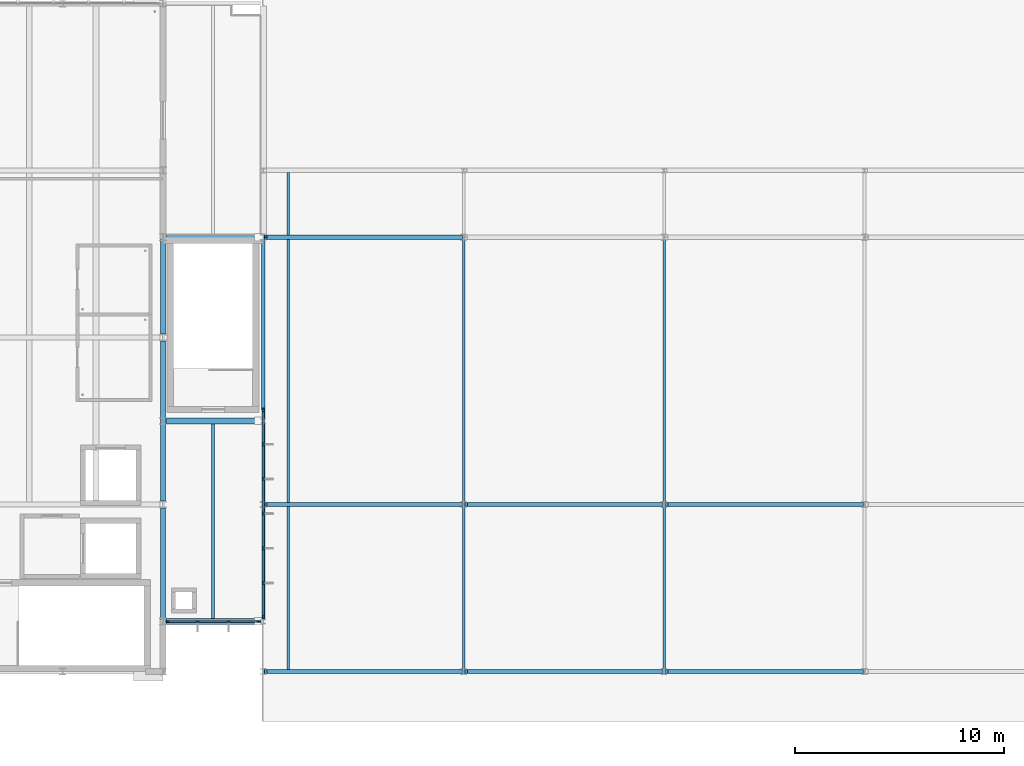
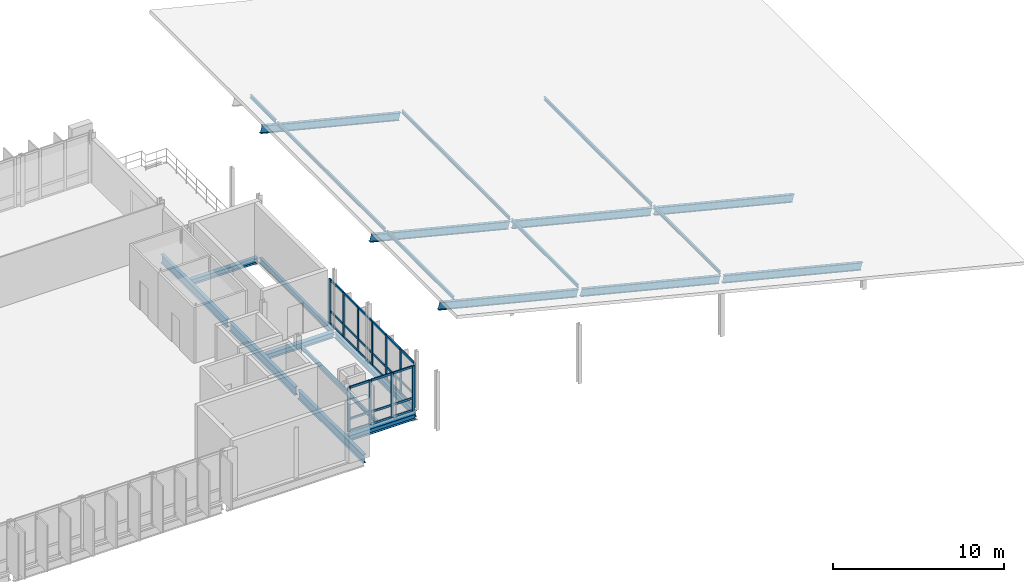
# One storey, part 9 of 22: 52 members, 9 beams, 2 elements without a shape of their own.
"""IFC4 building model written with IfcOpenShell, lengths in metres."""

from ifc_helpers import new_model, si_unit, direction, frame, origin, origin_2d, place, context, subcontext, project, spatial, rectangle, i_section, extrude, material, material_profile, profile_set, type_object, element, aggregate, save


model = new_model("IFC4")

# Units and contexts
model_context = context("Model", 3, precision=1e-05, world=origin(), true_north=direction((0.0, 1.0)))
body_context = subcontext(model_context, "Body", "Model", "MODEL_VIEW")
ifc_project = project(units=[si_unit("LENGTHUNIT", "METRE"), si_unit("AREAUNIT", "SQUARE_METRE"), si_unit("VOLUMEUNIT", "CUBIC_METRE"), si_unit("PLANEANGLEUNIT", "RADIAN"), si_unit("MASSUNIT", "GRAM", prefix="KILO")], contexts=[model_context])

# Site, building, storey
site_placement = place(None, origin())
site = spatial("IfcSite", under=ifc_project, at=site_placement, CompositionType="ELEMENT")
building_placement = place(site_placement, origin())
building = spatial("IfcBuilding", under=site, at=building_placement, Name="Dunescarp Central Library", CompositionType="ELEMENT")
storey_placement = place(building_placement, frame((0.0, 0.0, 27.60009765625)))
storey = spatial("IfcBuildingStorey", under=building, at=storey_placement, Name="L06", CompositionType="ELEMENT", Elevation=27.60009765625)

# Curtain wall, members
ifc_material_1 = material(Name="Marine-grade anodised aluminium 6063-T6", Category="aluminium")
curtain_wall_type = type_object("IfcCurtainWallType", Name="ARC-CW-LINK", PredefinedType="USERDEFINED", material=ifc_material_1)
curtain_wall_1_placement = place(storey_placement, origin())
curtain_wall_1 = element("IfcCurtainWall", 1, at=curtain_wall_1_placement, inside=storey, type_object=curtain_wall_type, Name="L06 curtain wall CW-GL1-S-L06", ObjectType="GLAZED_LINK_WALL", PredefinedType="USERDEFINED")
ifc_material_profile_1 = material_profile(ifc_material_1, rectangle(XDim=0.080078125, YDim=0.179931640625, at=origin_2d()), Name="AL 80x180")
ifc_profile_set_1 = profile_set([ifc_material_profile_1], Name="Marine-grade anodised aluminium 6063-T6")
member_type_1 = type_object("IfcMemberType", Name="ARC-CWM-180", PredefinedType="MULLION", material=ifc_profile_set_1)
member_1_placement = place(storey_placement, frame((38.18505859375, 7.199951171875, 0.0), z_axis=(0.0, 0.0, 1.0), x_axis=(0.0, -1.0, 0.0)))
member_1 = element("IfcMember", 2, at=member_1_placement, type_object=member_type_1, Name="CW-GL1-S-L06 mullion 1", PredefinedType="MULLION", context=body_context, shape_type="SweptSolid", body=[
    extrude(rectangle(XDim=0.080078125, YDim=0.179931640625, at=origin_2d()), origin(), (0.0, 0.0, 1.0), 3.184814453125),
])
member_2_placement = place(storey_placement, frame((36.74169921875, 7.199951171875, 0.0), z_axis=(0.0, 0.0, 1.0), x_axis=(0.0, -1.0, 0.0)))
member_2 = element("IfcMember", 3, at=member_2_placement, type_object=member_type_1, Name="CW-GL1-S-L06 mullion 2", PredefinedType="MULLION", context=body_context, shape_type="SweptSolid", body=[
    extrude(rectangle(XDim=0.080078125, YDim=0.179931640625, at=origin_2d()), origin(), (0.0, 0.0, 1.0), 3.184814453125),
])
member_3_placement = place(storey_placement, frame((35.25830078125, 7.199951171875, 0.0), z_axis=(0.0, 0.0, 1.0), x_axis=(0.0, -1.0, 0.0)))
member_3 = element("IfcMember", 4, at=member_3_placement, type_object=member_type_1, Name="CW-GL1-S-L06 mullion 3", PredefinedType="MULLION", context=body_context, shape_type="SweptSolid", body=[
    extrude(rectangle(XDim=0.080078125, YDim=0.179931640625, at=origin_2d()), origin(), (0.0, 0.0, 1.0), 3.184814453125),
])
member_4_placement = place(storey_placement, frame((33.81494140625, 7.199951171875, 0.0), z_axis=(0.0, 0.0, 1.0), x_axis=(0.0, -1.0, 0.0)))
member_4 = element("IfcMember", 5, at=member_4_placement, type_object=member_type_1, Name="CW-GL1-S-L06 mullion 4", PredefinedType="MULLION", context=body_context, shape_type="SweptSolid", body=[
    extrude(rectangle(XDim=0.080078125, YDim=0.179931640625, at=origin_2d()), origin(), (0.0, 0.0, 1.0), 3.184814453125),
])

curtain_wall_2_placement = place(storey_placement, origin())
curtain_wall_2 = element("IfcCurtainWall", 6, at=curtain_wall_2_placement, inside=storey, type_object=curtain_wall_type, Name="L06 curtain wall CW-GL1-E-L06", ObjectType="GLAZED_LINK_WALL", PredefinedType="USERDEFINED")
member_5_placement = place(storey_placement, frame((38.39990234375, 17.31005859375, 0.0), z_axis=(0.0, 0.0, 1.0), x_axis=(1.0, 0.0, 0.0)))
member_5 = element("IfcMember", 7, at=member_5_placement, type_object=member_type_1, Name="CW-GL1-E-L06 mullion 1", PredefinedType="MULLION", context=body_context, shape_type="SweptSolid", body=[
    extrude(rectangle(XDim=0.080078125, YDim=0.179931640625, at=origin_2d()), origin(), (0.0, 0.0, 1.0), 3.184814453125),
])
member_6_placement = place(storey_placement, frame((38.39990234375, 15.6875, 0.0), z_axis=(0.0, 0.0, 1.0), x_axis=(1.0, 0.0, 0.0)))
member_6 = element("IfcMember", 8, at=member_6_placement, type_object=member_type_1, Name="CW-GL1-E-L06 mullion 2", PredefinedType="MULLION", context=body_context, shape_type="SweptSolid", body=[
    extrude(rectangle(XDim=0.080078125, YDim=0.179931640625, at=origin_2d()), origin(), (0.0, 0.0, 1.0), 3.184814453125),
])
member_7_placement = place(storey_placement, frame((38.39990234375, 14.02490234375, 0.0), z_axis=(0.0, 0.0, 1.0), x_axis=(1.0, 0.0, 0.0)))
member_7 = element("IfcMember", 9, at=member_7_placement, type_object=member_type_1, Name="CW-GL1-E-L06 mullion 3", PredefinedType="MULLION", context=body_context, shape_type="SweptSolid", body=[
    extrude(rectangle(XDim=0.080078125, YDim=0.179931640625, at=origin_2d()), origin(), (0.0, 0.0, 1.0), 3.184814453125),
])
member_8_placement = place(storey_placement, frame((38.39990234375, 12.362548828125, 0.0), z_axis=(0.0, 0.0, 1.0), x_axis=(1.0, 0.0, 0.0)))
member_8 = element("IfcMember", 10, at=member_8_placement, type_object=member_type_1, Name="CW-GL1-E-L06 mullion 4", PredefinedType="MULLION", context=body_context, shape_type="SweptSolid", body=[
    extrude(rectangle(XDim=0.080078125, YDim=0.179931640625, at=origin_2d()), origin(), (0.0, 0.0, 1.0), 3.184814453125),
])
member_9_placement = place(storey_placement, frame((38.39990234375, 10.699951171875, 0.0), z_axis=(0.0, 0.0, 1.0), x_axis=(1.0, 0.0, 0.0)))
member_9 = element("IfcMember", 11, at=member_9_placement, type_object=member_type_1, Name="CW-GL1-E-L06 mullion 5", PredefinedType="MULLION", context=body_context, shape_type="SweptSolid", body=[
    extrude(rectangle(XDim=0.080078125, YDim=0.179931640625, at=origin_2d()), origin(), (0.0, 0.0, 1.0), 3.184814453125),
])
member_10_placement = place(storey_placement, frame((38.39990234375, 9.03759765625, 0.0), z_axis=(0.0, 0.0, 1.0), x_axis=(1.0, 0.0, 0.0)))
member_10 = element("IfcMember", 12, at=member_10_placement, type_object=member_type_1, Name="CW-GL1-E-L06 mullion 6", PredefinedType="MULLION", context=body_context, shape_type="SweptSolid", body=[
    extrude(rectangle(XDim=0.080078125, YDim=0.179931640625, at=origin_2d()), origin(), (0.0, 0.0, 1.0), 3.184814453125),
])
member_11_placement = place(storey_placement, frame((38.39990234375, 7.4150390625, 0.0), z_axis=(0.0, 0.0, 1.0), x_axis=(1.0, 0.0, 0.0)))
member_11 = element("IfcMember", 13, at=member_11_placement, type_object=member_type_1, Name="CW-GL1-E-L06 mullion 7", PredefinedType="MULLION", context=body_context, shape_type="SweptSolid", body=[
    extrude(rectangle(XDim=0.080078125, YDim=0.179931640625, at=origin_2d()), origin(), (0.0, 0.0, 1.0), 3.184814453125),
])

# Member
ifc_material_profile_2 = material_profile(ifc_material_1, rectangle(XDim=0.080078125, YDim=0.14990234375, at=origin_2d()), Name="AL 80x150")
ifc_profile_set_2 = profile_set([ifc_material_profile_2], Name="Marine-grade anodised aluminium 6063-T6")
member_type_2 = type_object("IfcMemberType", Name="ARC-CWT-150", PredefinedType="USERDEFINED", material=ifc_profile_set_2)
member_12_placement = place(storey_placement, frame((38.14501953125, 7.199951171875, 0.039794921875), z_axis=(-1.0, 0.0, 0.0), x_axis=(0.0, -1.0, 0.0)))
member_12 = element("IfcMember", 14, at=member_12_placement, type_object=member_type_2, Name="CW-GL1-S-L06 transom 1.1", ObjectType="TRANSOM", PredefinedType="USERDEFINED", context=body_context, shape_type="SweptSolid", body=[
    extrude(rectangle(XDim=0.080078125, YDim=0.14990234375, at=origin_2d()), origin(), (0.0, 0.0, 1.0), 1.36328125),
])

member_13_placement = place(storey_placement, frame((38.14501953125, 7.199951171875, 0.89990234375), z_axis=(-1.0, 0.0, 0.0), x_axis=(0.0, -1.0, 0.0)))
member_13 = element("IfcMember", 15, at=member_13_placement, type_object=member_type_2, Name="CW-GL1-S-L06 transom 1.2", ObjectType="TRANSOM", PredefinedType="USERDEFINED", context=body_context, shape_type="SweptSolid", body=[
    extrude(rectangle(XDim=0.080078125, YDim=0.14990234375, at=origin_2d()), origin(), (0.0, 0.0, 1.0), 1.36328125),
])

member_14_placement = place(storey_placement, frame((38.14501953125, 7.199951171875, 3.14501953125), z_axis=(-1.0, 0.0, 0.0), x_axis=(0.0, -1.0, 0.0)))
member_14 = element("IfcMember", 16, at=member_14_placement, type_object=member_type_2, Name="CW-GL1-S-L06 transom 1.3", ObjectType="TRANSOM", PredefinedType="USERDEFINED", context=body_context, shape_type="SweptSolid", body=[
    extrude(rectangle(XDim=0.080078125, YDim=0.14990234375, at=origin_2d()), origin(), (0.0, 0.0, 1.0), 1.36328125),
])

member_15_placement = place(storey_placement, frame((36.70166015625, 7.199951171875, 0.039794921875), z_axis=(-1.0, 0.0, 0.0), x_axis=(0.0, -1.0, 0.0)))
member_15 = element("IfcMember", 17, at=member_15_placement, type_object=member_type_2, Name="CW-GL1-S-L06 transom 2.1", ObjectType="TRANSOM", PredefinedType="USERDEFINED", context=body_context, shape_type="SweptSolid", body=[
    extrude(rectangle(XDim=0.080078125, YDim=0.14990234375, at=origin_2d()), origin(), (0.0, 0.0, 1.0), 1.4033203125),
])

member_16_placement = place(storey_placement, frame((36.70166015625, 7.199951171875, 0.89990234375), z_axis=(-1.0, 0.0, 0.0), x_axis=(0.0, -1.0, 0.0)))
member_16 = element("IfcMember", 18, at=member_16_placement, type_object=member_type_2, Name="CW-GL1-S-L06 transom 2.2", ObjectType="TRANSOM", PredefinedType="USERDEFINED", context=body_context, shape_type="SweptSolid", body=[
    extrude(rectangle(XDim=0.080078125, YDim=0.14990234375, at=origin_2d()), origin(), (0.0, 0.0, 1.0), 1.4033203125),
])

member_17_placement = place(storey_placement, frame((36.70166015625, 7.199951171875, 3.14501953125), z_axis=(-1.0, 0.0, 0.0), x_axis=(0.0, -1.0, 0.0)))
member_17 = element("IfcMember", 19, at=member_17_placement, type_object=member_type_2, Name="CW-GL1-S-L06 transom 2.3", ObjectType="TRANSOM", PredefinedType="USERDEFINED", context=body_context, shape_type="SweptSolid", body=[
    extrude(rectangle(XDim=0.080078125, YDim=0.14990234375, at=origin_2d()), origin(), (0.0, 0.0, 1.0), 1.4033203125),
])

member_18_placement = place(storey_placement, frame((35.21826171875, 7.199951171875, 0.039794921875), z_axis=(-1.0, 0.0, 0.0), x_axis=(0.0, -1.0, 0.0)))
member_18 = element("IfcMember", 20, at=member_18_placement, type_object=member_type_2, Name="CW-GL1-S-L06 transom 3.1", ObjectType="TRANSOM", PredefinedType="USERDEFINED", context=body_context, shape_type="SweptSolid", body=[
    extrude(rectangle(XDim=0.080078125, YDim=0.14990234375, at=origin_2d()), origin(), (0.0, 0.0, 1.0), 1.36328125),
])

member_19_placement = place(storey_placement, frame((35.21826171875, 7.199951171875, 0.89990234375), z_axis=(-1.0, 0.0, 0.0), x_axis=(0.0, -1.0, 0.0)))
member_19 = element("IfcMember", 21, at=member_19_placement, type_object=member_type_2, Name="CW-GL1-S-L06 transom 3.2", ObjectType="TRANSOM", PredefinedType="USERDEFINED", context=body_context, shape_type="SweptSolid", body=[
    extrude(rectangle(XDim=0.080078125, YDim=0.14990234375, at=origin_2d()), origin(), (0.0, 0.0, 1.0), 1.36328125),
])

member_20_placement = place(storey_placement, frame((35.21826171875, 7.199951171875, 3.14501953125), z_axis=(-1.0, 0.0, 0.0), x_axis=(0.0, -1.0, 0.0)))
member_20 = element("IfcMember", 22, at=member_20_placement, type_object=member_type_2, Name="CW-GL1-S-L06 transom 3.3", ObjectType="TRANSOM", PredefinedType="USERDEFINED", context=body_context, shape_type="SweptSolid", body=[
    extrude(rectangle(XDim=0.080078125, YDim=0.14990234375, at=origin_2d()), origin(), (0.0, 0.0, 1.0), 1.36328125),
])

aggregate(curtain_wall_1, [member_1, member_2, member_3, member_4, member_12, member_13, member_14, member_15, member_16, member_17, member_18, member_19, member_20])

member_21_placement = place(storey_placement, frame((38.39990234375, 17.27001953125, 0.039794921875), z_axis=(0.0, -1.0, 0.0), x_axis=(1.0, 0.0, 0.0)))
member_21 = element("IfcMember", 23, at=member_21_placement, type_object=member_type_2, Name="CW-GL1-E-L06 transom 1.1", ObjectType="TRANSOM", PredefinedType="USERDEFINED", context=body_context, shape_type="SweptSolid", body=[
    extrude(rectangle(XDim=0.080078125, YDim=0.14990234375, at=origin_2d()), origin(), (0.0, 0.0, 1.0), 1.54248046875),
])

member_22_placement = place(storey_placement, frame((38.39990234375, 17.27001953125, 0.89990234375), z_axis=(0.0, -1.0, 0.0), x_axis=(1.0, 0.0, 0.0)))
member_22 = element("IfcMember", 24, at=member_22_placement, type_object=member_type_2, Name="CW-GL1-E-L06 transom 1.2", ObjectType="TRANSOM", PredefinedType="USERDEFINED", context=body_context, shape_type="SweptSolid", body=[
    extrude(rectangle(XDim=0.080078125, YDim=0.14990234375, at=origin_2d()), origin(), (0.0, 0.0, 1.0), 1.54248046875),
])

member_23_placement = place(storey_placement, frame((38.39990234375, 17.27001953125, 3.14501953125), z_axis=(0.0, -1.0, 0.0), x_axis=(1.0, 0.0, 0.0)))
member_23 = element("IfcMember", 25, at=member_23_placement, type_object=member_type_2, Name="CW-GL1-E-L06 transom 1.3", ObjectType="TRANSOM", PredefinedType="USERDEFINED", context=body_context, shape_type="SweptSolid", body=[
    extrude(rectangle(XDim=0.080078125, YDim=0.14990234375, at=origin_2d()), origin(), (0.0, 0.0, 1.0), 1.54248046875),
])

member_24_placement = place(storey_placement, frame((38.39990234375, 15.6474609375, 0.039794921875), z_axis=(0.0, -1.0, 0.0), x_axis=(1.0, 0.0, 0.0)))
member_24 = element("IfcMember", 26, at=member_24_placement, type_object=member_type_2, Name="CW-GL1-E-L06 transom 2.1", ObjectType="TRANSOM", PredefinedType="USERDEFINED", context=body_context, shape_type="SweptSolid", body=[
    extrude(rectangle(XDim=0.080078125, YDim=0.14990234375, at=origin_2d()), origin(), (0.0, 0.0, 1.0), 1.58251953125),
])

member_25_placement = place(storey_placement, frame((38.39990234375, 15.6474609375, 0.89990234375), z_axis=(0.0, -1.0, 0.0), x_axis=(1.0, 0.0, 0.0)))
member_25 = element("IfcMember", 27, at=member_25_placement, type_object=member_type_2, Name="CW-GL1-E-L06 transom 2.2", ObjectType="TRANSOM", PredefinedType="USERDEFINED", context=body_context, shape_type="SweptSolid", body=[
    extrude(rectangle(XDim=0.080078125, YDim=0.14990234375, at=origin_2d()), origin(), (0.0, 0.0, 1.0), 1.58251953125),
])

member_26_placement = place(storey_placement, frame((38.39990234375, 15.6474609375, 3.14501953125), z_axis=(0.0, -1.0, 0.0), x_axis=(1.0, 0.0, 0.0)))
member_26 = element("IfcMember", 28, at=member_26_placement, type_object=member_type_2, Name="CW-GL1-E-L06 transom 2.3", ObjectType="TRANSOM", PredefinedType="USERDEFINED", context=body_context, shape_type="SweptSolid", body=[
    extrude(rectangle(XDim=0.080078125, YDim=0.14990234375, at=origin_2d()), origin(), (0.0, 0.0, 1.0), 1.58251953125),
])

member_27_placement = place(storey_placement, frame((38.39990234375, 13.985107421875, 0.039794921875), z_axis=(0.0, -1.0, 0.0), x_axis=(1.0, 0.0, 0.0)))
member_27 = element("IfcMember", 29, at=member_27_placement, type_object=member_type_2, Name="CW-GL1-E-L06 transom 3.1", ObjectType="TRANSOM", PredefinedType="USERDEFINED", context=body_context, shape_type="SweptSolid", body=[
    extrude(rectangle(XDim=0.080078125, YDim=0.14990234375, at=origin_2d()), origin(), (0.0, 0.0, 1.0), 1.58251953125),
])

member_28_placement = place(storey_placement, frame((38.39990234375, 13.985107421875, 0.89990234375), z_axis=(0.0, -1.0, 0.0), x_axis=(1.0, 0.0, 0.0)))
member_28 = element("IfcMember", 30, at=member_28_placement, type_object=member_type_2, Name="CW-GL1-E-L06 transom 3.2", ObjectType="TRANSOM", PredefinedType="USERDEFINED", context=body_context, shape_type="SweptSolid", body=[
    extrude(rectangle(XDim=0.080078125, YDim=0.14990234375, at=origin_2d()), origin(), (0.0, 0.0, 1.0), 1.58251953125),
])

member_29_placement = place(storey_placement, frame((38.39990234375, 13.985107421875, 3.14501953125), z_axis=(0.0, -1.0, 0.0), x_axis=(1.0, 0.0, 0.0)))
member_29 = element("IfcMember", 31, at=member_29_placement, type_object=member_type_2, Name="CW-GL1-E-L06 transom 3.3", ObjectType="TRANSOM", PredefinedType="USERDEFINED", context=body_context, shape_type="SweptSolid", body=[
    extrude(rectangle(XDim=0.080078125, YDim=0.14990234375, at=origin_2d()), origin(), (0.0, 0.0, 1.0), 1.58251953125),
])

member_30_placement = place(storey_placement, frame((38.39990234375, 12.322509765625, 0.039794921875), z_axis=(0.0, -1.0, 0.0), x_axis=(1.0, 0.0, 0.0)))
member_30 = element("IfcMember", 32, at=member_30_placement, type_object=member_type_2, Name="CW-GL1-E-L06 transom 4.1", ObjectType="TRANSOM", PredefinedType="USERDEFINED", context=body_context, shape_type="SweptSolid", body=[
    extrude(rectangle(XDim=0.080078125, YDim=0.14990234375, at=origin_2d()), origin(), (0.0, 0.0, 1.0), 1.58251953125),
])

member_31_placement = place(storey_placement, frame((38.39990234375, 12.322509765625, 0.89990234375), z_axis=(0.0, -1.0, 0.0), x_axis=(1.0, 0.0, 0.0)))
member_31 = element("IfcMember", 33, at=member_31_placement, type_object=member_type_2, Name="CW-GL1-E-L06 transom 4.2", ObjectType="TRANSOM", PredefinedType="USERDEFINED", context=body_context, shape_type="SweptSolid", body=[
    extrude(rectangle(XDim=0.080078125, YDim=0.14990234375, at=origin_2d()), origin(), (0.0, 0.0, 1.0), 1.58251953125),
])

member_32_placement = place(storey_placement, frame((38.39990234375, 12.322509765625, 3.14501953125), z_axis=(0.0, -1.0, 0.0), x_axis=(1.0, 0.0, 0.0)))
member_32 = element("IfcMember", 34, at=member_32_placement, type_object=member_type_2, Name="CW-GL1-E-L06 transom 4.3", ObjectType="TRANSOM", PredefinedType="USERDEFINED", context=body_context, shape_type="SweptSolid", body=[
    extrude(rectangle(XDim=0.080078125, YDim=0.14990234375, at=origin_2d()), origin(), (0.0, 0.0, 1.0), 1.58251953125),
])

member_33_placement = place(storey_placement, frame((38.39990234375, 10.659912109375, 0.039794921875), z_axis=(0.0, -1.0, 0.0), x_axis=(1.0, 0.0, 0.0)))
member_33 = element("IfcMember", 35, at=member_33_placement, type_object=member_type_2, Name="CW-GL1-E-L06 transom 5.1", ObjectType="TRANSOM", PredefinedType="USERDEFINED", context=body_context, shape_type="SweptSolid", body=[
    extrude(rectangle(XDim=0.080078125, YDim=0.14990234375, at=origin_2d()), origin(), (0.0, 0.0, 1.0), 1.58251953125),
])

member_34_placement = place(storey_placement, frame((38.39990234375, 10.659912109375, 0.89990234375), z_axis=(0.0, -1.0, 0.0), x_axis=(1.0, 0.0, 0.0)))
member_34 = element("IfcMember", 36, at=member_34_placement, type_object=member_type_2, Name="CW-GL1-E-L06 transom 5.2", ObjectType="TRANSOM", PredefinedType="USERDEFINED", context=body_context, shape_type="SweptSolid", body=[
    extrude(rectangle(XDim=0.080078125, YDim=0.14990234375, at=origin_2d()), origin(), (0.0, 0.0, 1.0), 1.58251953125),
])

member_35_placement = place(storey_placement, frame((38.39990234375, 10.659912109375, 3.14501953125), z_axis=(0.0, -1.0, 0.0), x_axis=(1.0, 0.0, 0.0)))
member_35 = element("IfcMember", 37, at=member_35_placement, type_object=member_type_2, Name="CW-GL1-E-L06 transom 5.3", ObjectType="TRANSOM", PredefinedType="USERDEFINED", context=body_context, shape_type="SweptSolid", body=[
    extrude(rectangle(XDim=0.080078125, YDim=0.14990234375, at=origin_2d()), origin(), (0.0, 0.0, 1.0), 1.58251953125),
])

member_36_placement = place(storey_placement, frame((38.39990234375, 8.99755859375, 0.039794921875), z_axis=(0.0, -1.0, 0.0), x_axis=(1.0, 0.0, 0.0)))
member_36 = element("IfcMember", 38, at=member_36_placement, type_object=member_type_2, Name="CW-GL1-E-L06 transom 6.1", ObjectType="TRANSOM", PredefinedType="USERDEFINED", context=body_context, shape_type="SweptSolid", body=[
    extrude(rectangle(XDim=0.080078125, YDim=0.14990234375, at=origin_2d()), origin(), (0.0, 0.0, 1.0), 1.54248046875),
])

member_37_placement = place(storey_placement, frame((38.39990234375, 8.99755859375, 0.89990234375), z_axis=(0.0, -1.0, 0.0), x_axis=(1.0, 0.0, 0.0)))
member_37 = element("IfcMember", 39, at=member_37_placement, type_object=member_type_2, Name="CW-GL1-E-L06 transom 6.2", ObjectType="TRANSOM", PredefinedType="USERDEFINED", context=body_context, shape_type="SweptSolid", body=[
    extrude(rectangle(XDim=0.080078125, YDim=0.14990234375, at=origin_2d()), origin(), (0.0, 0.0, 1.0), 1.54248046875),
])

member_38_placement = place(storey_placement, frame((38.39990234375, 8.99755859375, 3.14501953125), z_axis=(0.0, -1.0, 0.0), x_axis=(1.0, 0.0, 0.0)))
member_38 = element("IfcMember", 40, at=member_38_placement, type_object=member_type_2, Name="CW-GL1-E-L06 transom 6.3", ObjectType="TRANSOM", PredefinedType="USERDEFINED", context=body_context, shape_type="SweptSolid", body=[
    extrude(rectangle(XDim=0.080078125, YDim=0.14990234375, at=origin_2d()), origin(), (0.0, 0.0, 1.0), 1.54248046875),
])

aggregate(curtain_wall_2, [member_5, member_6, member_7, member_8, member_9, member_10, member_11, member_21, member_22, member_23, member_24, member_25, member_26, member_27, member_28, member_29, member_30, member_31, member_32, member_33, member_34, member_35, member_36, member_37, member_38])

# Beams
ifc_material_2 = material(Name="Steel S355JR", Category="steel")
ifc_material_profile_3 = material_profile(ifc_material_2, i_section(OverallWidth=0.300048828125, OverallDepth=0.389892578125, WebThickness=0.010986328125, FlangeThickness=0.01904296875, at=origin_2d()), Name="HEA 400")
ifc_profile_set_3 = profile_set([ifc_material_profile_3], Name="Steel S355JR")
beam_type_1 = type_object("IfcBeamType", Name="STR-BM-HEA400", PredefinedType="BEAM", material=ifc_profile_set_3)
for number, where, z_axis, x_axis, name in (
    (41, (33.7529296875, 7.199951171875, -0.405029296875), (1.0, 0.0, 0.0), (0.0, 1.0, 0.0), "L06 girder BM-L06-1235"),
    (42, (33.7529296875, 16.800048828125, -0.405029296875), (1.0, 0.0, 0.0), (0.0, 1.0, 0.0), "L06 girder BM-L06-1236"),
):
    element("IfcBeam", number, at=place(storey_placement, frame(where, z_axis=z_axis, x_axis=x_axis)), inside=storey, type_object=beam_type_1, Name=name, PredefinedType="BEAM", context=body_context, shape_type="SweptSolid", body=[
        extrude(i_section(OverallWidth=0.300048828125, OverallDepth=0.389892578125, WebThickness=0.010986328125, FlangeThickness=0.01904296875, at=origin_2d()), origin(), (0.0, 0.0, 1.0), 4.547119140625),
    ])
beam_1_placement = place(storey_placement, frame((33.7529296875, 25.60009765625, -0.405029296875), z_axis=(1.0, 0.0, 0.0), x_axis=(0.0, 1.0, 0.0)))
element("IfcBeam", 43, at=beam_1_placement, inside=storey, type_object=beam_type_1, Name="L06 girder BM-L06-1239", PredefinedType="BEAM", context=body_context, shape_type="SweptSolid", body=[
    extrude(i_section(OverallWidth=0.300048828125, OverallDepth=0.389892578125, WebThickness=0.010986328125, FlangeThickness=0.01904296875, at=origin_2d()), origin(), (0.0, 0.0, 1.0), 4.51904296875),
])
ifc_material_profile_4 = material_profile(ifc_material_2, i_section(OverallWidth=0.2275390625, OverallDepth=0.6025390625, WebThickness=0.010498046875, FlangeThickness=0.014892578125, at=origin_2d()), Name="UB 610x229x101")
ifc_profile_set_4 = profile_set([ifc_material_profile_4], Name="Steel S355JR")
beam_type_2 = type_object("IfcBeamType", Name="STR-BM-UB610X101", PredefinedType="BEAM", material=ifc_profile_set_4)
for number, where, z_axis, x_axis, name in (
    (44, (33.60009765625, 4.9609375, -0.510986328125), (0.0, 1.0, 0.0), (-1.0, 0.0, 0.0), "L06 girder BM-L06-0318"),
    (45, (33.60009765625, 12.9609375, -0.510986328125), (0.0, 1.0, 0.0), (-1.0, 0.0, 0.0), "L06 girder BM-L06-0320"),
    (46, (33.60009765625, 20.9609375, -0.510986328125), (0.0, 1.0, 0.0), (-1.0, 0.0, 0.0), "L06 girder BM-L06-0324"),
):
    element("IfcBeam", number, at=place(storey_placement, frame(where, z_axis=z_axis, x_axis=x_axis)), inside=storey, type_object=beam_type_2, Name=name, PredefinedType="BEAM", context=body_context, shape_type="SweptSolid", body=[
        extrude(i_section(OverallWidth=0.2275390625, OverallDepth=0.6025390625, WebThickness=0.010498046875, FlangeThickness=0.014892578125, at=origin_2d()), origin(), (0.0, 0.0, 1.0), 7.677978515625),
    ])
ifc_material_profile_5 = material_profile(ifc_material_2, i_section(OverallWidth=0.135009765625, OverallDepth=0.27001953125, WebThickness=0.006591796875, FlangeThickness=0.01025390625, at=origin_2d()), Name="IPE 270")
ifc_profile_set_5 = profile_set([ifc_material_profile_5], Name="Steel S355JR")
beam_type_3 = type_object("IfcBeamType", Name="STR-JS-IPE270", PredefinedType="JOIST", material=ifc_profile_set_5)
beam_2_placement = place(storey_placement, frame((36.0, 7.347900390625, -0.34521484375), z_axis=(0.0, 1.0, 0.0), x_axis=(-1.0, 0.0, 0.0)))
element("IfcBeam", 47, at=beam_2_placement, inside=storey, type_object=beam_type_3, Name="L06 joist JS-L06-1238", PredefinedType="JOIST", context=body_context, shape_type="SweptSolid", body=[
    extrude(i_section(OverallWidth=0.135009765625, OverallDepth=0.27001953125, WebThickness=0.006591796875, FlangeThickness=0.01025390625, at=origin_2d()), origin(), (0.0, 0.0, 1.0), 9.30419921875),
])

# Members
ifc_material_profile_6 = material_profile(ifc_material_2, i_section(OverallWidth=0.1201171875, OverallDepth=0.239990234375, WebThickness=0.006103515625, FlangeThickness=0.009765625, at=origin_2d()), Name="IPE 240")
ifc_profile_set_6 = profile_set([ifc_material_profile_6], Name="Steel S355JR")
member_type_3 = type_object("IfcMemberType", Name="STR-PR-IPE240", PredefinedType="PURLIN", material=ifc_profile_set_6)
member_39_placement = place(storey_placement, frame((39.60009765625, 4.902099609375, 8.9189453125), z_axis=(0.0, 1.0, 0.0), x_axis=(-1.0, 0.0, 0.0)))
element("IfcMember", 48, at=member_39_placement, inside=storey, type_object=member_type_3, Name="V2 roof purlin PR-V2-001", PredefinedType="PURLIN", context=body_context, shape_type="SweptSolid", body=[
    extrude(i_section(OverallWidth=0.1201171875, OverallDepth=0.239990234375, WebThickness=0.006103515625, FlangeThickness=0.009765625, at=origin_2d()), origin(), (0.0, 0.0, 1.0), 7.7958984375),
])
member_40_placement = place(storey_placement, frame((39.60009765625, 12.902099609375, 8.9189453125), z_axis=(0.0, 1.0, 0.0), x_axis=(-1.0, 0.0, 0.0)))
element("IfcMember", 49, at=member_40_placement, inside=storey, type_object=member_type_3, Name="V2 roof purlin PR-V2-002", PredefinedType="PURLIN", context=body_context, shape_type="SweptSolid", body=[
    extrude(i_section(OverallWidth=0.1201171875, OverallDepth=0.239990234375, WebThickness=0.006103515625, FlangeThickness=0.009765625, at=origin_2d()), origin(), (0.0, 0.0, 1.0), 12.595947265625),
])
member_41_placement = place(storey_placement, frame((39.60009765625, 25.701904296875, 8.9189453125), z_axis=(0.0, 1.0, 0.0), x_axis=(-1.0, 0.0, 0.0)))
element("IfcMember", 50, at=member_41_placement, inside=storey, type_object=member_type_3, Name="V2 roof purlin PR-V2-003", PredefinedType="PURLIN", context=body_context, shape_type="SweptSolid", body=[
    extrude(i_section(OverallWidth=0.1201171875, OverallDepth=0.239990234375, WebThickness=0.006103515625, FlangeThickness=0.009765625, at=origin_2d()), origin(), (0.0, 0.0, 1.0), 2.99609375),
])
member_42_placement = place(storey_placement, frame((48.0, 4.902099609375, 6.81884765625), z_axis=(0.0, 1.0, 0.0), x_axis=(-1.0, 0.0, 0.0)))
element("IfcMember", 51, at=member_42_placement, inside=storey, type_object=member_type_3, Name="V2 roof purlin PR-V2-004", PredefinedType="PURLIN", context=body_context, shape_type="SweptSolid", body=[
    extrude(i_section(OverallWidth=0.1201171875, OverallDepth=0.239990234375, WebThickness=0.006103515625, FlangeThickness=0.009765625, at=origin_2d()), origin(), (0.0, 0.0, 1.0), 7.7958984375),
])
member_43_placement = place(storey_placement, frame((48.0, 12.902099609375, 6.81884765625), z_axis=(0.0, 1.0, 0.0), x_axis=(-1.0, 0.0, 0.0)))
element("IfcMember", 52, at=member_43_placement, inside=storey, type_object=member_type_3, Name="V2 roof purlin PR-V2-005", PredefinedType="PURLIN", context=body_context, shape_type="SweptSolid", body=[
    extrude(i_section(OverallWidth=0.1201171875, OverallDepth=0.239990234375, WebThickness=0.006103515625, FlangeThickness=0.009765625, at=origin_2d()), origin(), (0.0, 0.0, 1.0), 12.595947265625),
])
member_44_placement = place(storey_placement, frame((57.60009765625, 4.902099609375, 4.4189453125), z_axis=(0.0, 1.0, 0.0), x_axis=(-1.0, 0.0, 0.0)))
element("IfcMember", 53, at=member_44_placement, inside=storey, type_object=member_type_3, Name="V2 roof purlin PR-V2-007", PredefinedType="PURLIN", context=body_context, shape_type="SweptSolid", body=[
    extrude(i_section(OverallWidth=0.1201171875, OverallDepth=0.239990234375, WebThickness=0.006103515625, FlangeThickness=0.009765625, at=origin_2d()), origin(), (0.0, 0.0, 1.0), 7.7958984375),
])
member_45_placement = place(storey_placement, frame((57.60009765625, 12.902099609375, 4.4189453125), z_axis=(0.0, 1.0, 0.0), x_axis=(-1.0, 0.0, 0.0)))
element("IfcMember", 54, at=member_45_placement, inside=storey, type_object=member_type_3, Name="V2 roof purlin PR-V2-008", PredefinedType="PURLIN", context=body_context, shape_type="SweptSolid", body=[
    extrude(i_section(OverallWidth=0.1201171875, OverallDepth=0.239990234375, WebThickness=0.006103515625, FlangeThickness=0.009765625, at=origin_2d()), origin(), (0.0, 0.0, 1.0), 12.595947265625),
])
ifc_material_profile_7 = material_profile(ifc_material_2, i_section(OverallWidth=0.209228515625, OverallDepth=0.533203125, WebThickness=0.010009765625, FlangeThickness=0.015625, at=origin_2d()), Name="UB 533x210x92")
ifc_profile_set_7 = profile_set([ifc_material_profile_7], Name="Steel S355JR")
member_type_4 = type_object("IfcMemberType", Name="STR-RF-UB533", PredefinedType="RAFTER", material=ifc_profile_set_7)
for number, where, z_axis, x_axis, name in (
    (55, (38.51611328125, 4.800048828125, 8.806884765625), (0.970141012881, 0.0, -0.242541574016), (0.0, 1.0, 0.0), "V2 raked roof rafter RFT-V2-001"),
    (56, (48.115966796875, 4.800048828125, 6.406982421875), (0.970141012881, 0.0, -0.242541574016), (0.0, 1.0, 0.0), "V2 raked roof rafter RFT-V2-002"),
    (57, (57.716064453125, 4.800048828125, 4.0068359375), (0.970141012881, 0.0, -0.242541574016), (0.0, 1.0, 0.0), "V2 raked roof rafter RFT-V2-003"),
    (58, (38.51611328125, 12.800048828125, 8.806884765625), (0.970141012881, 0.0, -0.242541574016), (0.0, 1.0, 0.0), "V2 raked roof rafter RFT-V2-005"),
    (59, (48.115966796875, 12.800048828125, 6.406982421875), (0.970141012881, 0.0, -0.242541574016), (0.0, 1.0, 0.0), "V2 raked roof rafter RFT-V2-006"),
    (60, (57.716064453125, 12.800048828125, 4.0068359375), (0.970141012881, 0.0, -0.242541574016), (0.0, 1.0, 0.0), "V2 raked roof rafter RFT-V2-007"),
    (61, (38.51611328125, 25.60009765625, 8.806884765625), (0.970141012881, 0.0, -0.242541574016), (0.0, 1.0, 0.0), "V2 raked roof rafter RFT-V2-009"),
):
    element("IfcMember", number, at=place(storey_placement, frame(where, z_axis=z_axis, x_axis=x_axis)), inside=storey, type_object=member_type_4, Name=name, PredefinedType="RAFTER", context=body_context, shape_type="SweptSolid", body=[
        extrude(i_section(OverallWidth=0.209228515625, OverallDepth=0.533203125, WebThickness=0.010009765625, FlangeThickness=0.015625, at=origin_2d()), origin(), (0.0, 0.0, 1.0), 9.65625),
    ])

# Beams
ifc_material_profile_8 = material_profile(ifc_material_2, i_section(OverallWidth=0.177978515625, OverallDepth=0.406494140625, WebThickness=0.0078125, FlangeThickness=0.0126953125, at=origin_2d()), Name="UB 406x178x60")
ifc_profile_set_8 = profile_set([ifc_material_profile_8], Name="Steel S355JR")
beam_type_4 = type_object("IfcBeamType", Name="STR-SP-UB406", PredefinedType="SPANDREL", material=ifc_profile_set_8)
beam_3_placement = place(storey_placement, frame((38.39990234375, 7.304931640625, -0.4130859375), z_axis=(0.0, 1.0, 0.0), x_axis=(-1.0, 0.0, 0.0)))
element("IfcBeam", 62, at=beam_3_placement, inside=storey, type_object=beam_type_4, Name="L06 girder BM-L06-1237", PredefinedType="SPANDREL", context=body_context, shape_type="SweptSolid", body=[
    extrude(i_section(OverallWidth=0.177978515625, OverallDepth=0.406494140625, WebThickness=0.0078125, FlangeThickness=0.0126953125, at=origin_2d()), origin(), (0.0, 0.0, 1.0), 9.39013671875),
])
beam_4_placement = place(storey_placement, frame((38.39990234375, 16.905029296875, -0.4130859375), z_axis=(0.0, 1.0, 0.0), x_axis=(-1.0, 0.0, 0.0)))
element("IfcBeam", 63, at=beam_4_placement, inside=storey, type_object=beam_type_4, Name="L06 girder BM-L06-1240", PredefinedType="SPANDREL", context=body_context, shape_type="SweptSolid", body=[
    extrude(i_section(OverallWidth=0.177978515625, OverallDepth=0.406494140625, WebThickness=0.0078125, FlangeThickness=0.0126953125, at=origin_2d()), origin(), (0.0, 0.0, 1.0), 8.56005859375),
])

save(model, "model.ifc")
